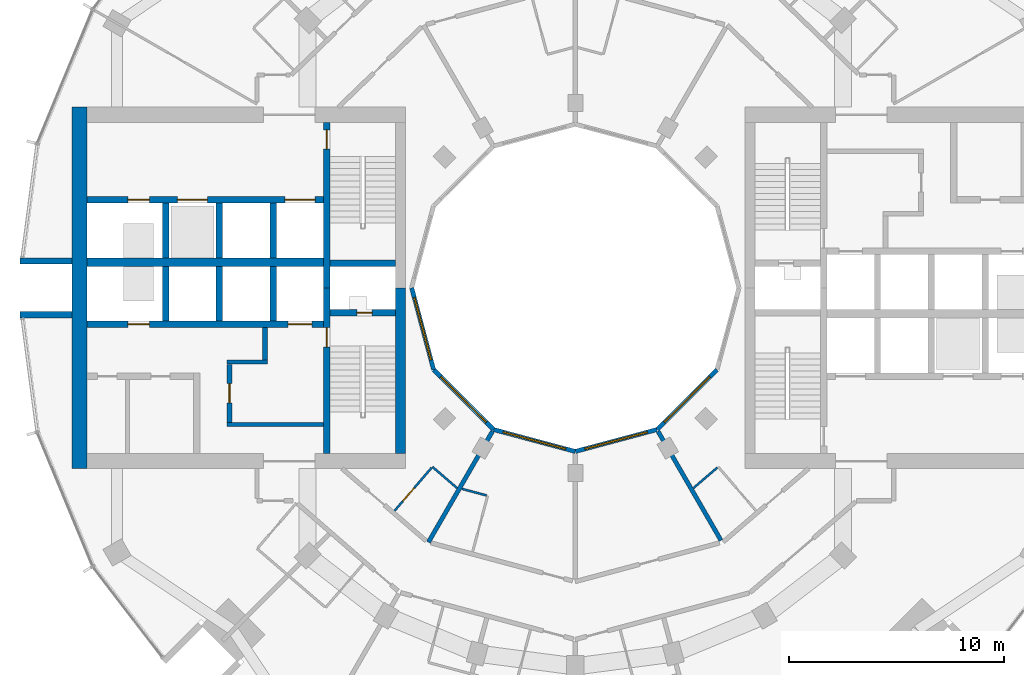
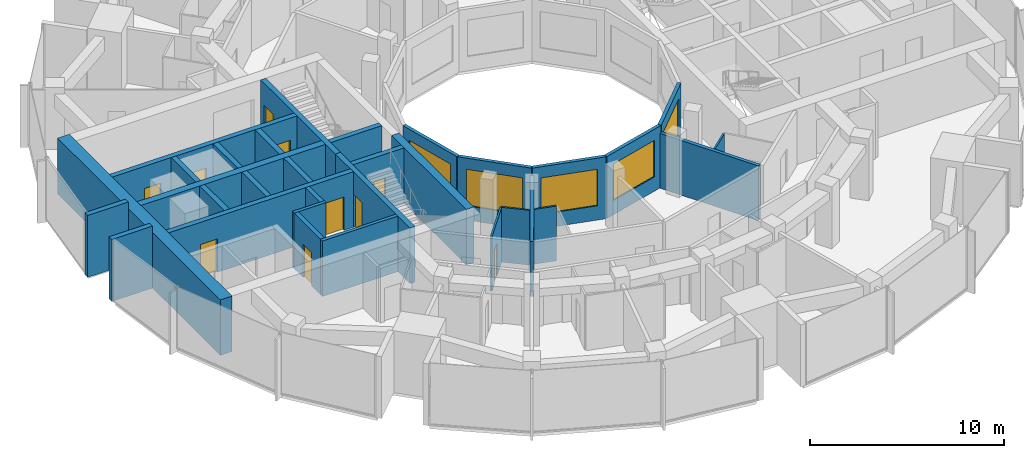
# One storey, part 9 of 15: 32 walls, 10 doors, 5 windows, 15 openings.
"""IFC4 building model written with IfcOpenShell, lengths in metres."""

from ifc_helpers import new_model, si_unit, direction, frame, frame_2d, origin, place, context, subcontext, project, spatial, rectangle, extrude, material, layer, layer_set, type_object, element, fill, save


model = new_model("IFC4")

# Units and contexts
model_context = context("Model", 3, precision=1e-05, world=origin(), true_north=direction((0.0, 1.0)))
body_context = subcontext(model_context, "Body", "Model", "MODEL_VIEW")
ifc_project = project(units=[si_unit("LENGTHUNIT", "METRE"), si_unit("AREAUNIT", "SQUARE_METRE"), si_unit("VOLUMEUNIT", "CUBIC_METRE"), si_unit("PLANEANGLEUNIT", "RADIAN"), si_unit("MASSUNIT", "GRAM", prefix="KILO")], contexts=[model_context])

# Site, building, storey
site_placement = place(None, origin())
site = spatial("IfcSite", under=ifc_project, at=site_placement, CompositionType="ELEMENT")
building_placement = place(site_placement, origin())
building = spatial("IfcBuilding", under=site, at=building_placement, Name="Torre Brocal", CompositionType="ELEMENT")
storey_placement = place(building_placement, frame((0.0, 0.0, 145.800048828125)))
storey = spatial("IfcBuildingStorey", under=building, at=storey_placement, Name="L34", CompositionType="ELEMENT", Elevation=145.800048828125)

# Walls
ifc_material_1 = material(Name="Concrete C70", Category="concrete")
ifc_layer_1 = layer(ifc_material_1, 0.199951171875)
ifc_layer_set_1 = layer_set([ifc_layer_1], Name="Concrete C70")
wall_type_1 = type_object("IfcWallType", Name="CORE WALL 200 C70 UNDER 400 SLAB", PredefinedType="SHEAR", material=ifc_layer_set_1)
wall_1_placement = place(storey_placement, frame((68.300048828125, 68.64990234375, 0.0), z_axis=(0.0, 0.0, 1.0), x_axis=(-1.0, 0.0, 0.0)))
element("IfcWall", 1, at=wall_1_placement, inside=storey, type_object=wall_type_1, Name="Wall CW200-70-S400", PredefinedType="SHEAR", context=body_context, shape_type="SweptSolid", body=[
    extrude(rectangle(XDim=4.5, YDim=0.199951171875, at=frame_2d((2.25, 0.0))), origin(), (0.0, 0.0, 1.0), 3.5),
])
wall_2_placement = place(storey_placement, frame((65.699951171875, 71.550048828125, 0.0), z_axis=(0.0, 0.0, 1.0), x_axis=(-1.0, 0.0, 0.0)))
element("IfcWall", 2, at=wall_2_placement, inside=storey, type_object=wall_type_1, Name="Wall CW200-70-S400", PredefinedType="SHEAR", context=body_context, shape_type="SweptSolid", body=[
    extrude(rectangle(XDim=1.89990234375, YDim=0.199951171875, at=frame_2d((0.949951171875, 0.0))), origin(), (0.0, 0.0, 1.0), 3.5),
])

# Wall, opening, door
ifc_material_2 = material(Name="Concrete C70", Category="concrete")
ifc_layer_2 = layer(ifc_material_2, 0.25)
ifc_layer_set_2 = layer_set([ifc_layer_2], Name="Concrete C70")
wall_type_2 = type_object("IfcWallType", Name="CORE WALL 250 C70 UNDER 400 SLAB", PredefinedType="SHEAR", material=ifc_layer_set_2)
wall_3_placement = place(storey_placement, frame((63.925048828125, 71.449951171875, 0.0), z_axis=(0.0, 0.0, 1.0), x_axis=(0.0, -1.0, 0.0)))
wall_3 = element("IfcWall", 3, at=wall_3_placement, inside=storey, type_object=wall_type_2, Name="Wall CW250-70-S400", PredefinedType="SHEAR", context=body_context, shape_type="SweptSolid", body=[
    extrude(rectangle(XDim=2.699951171875, YDim=0.25, at=frame_2d((1.35009765625, 0.0))), origin(), (0.0, 0.0, 1.0), 3.5),
])
opening_1_placement = place(wall_3_placement, frame((0.89990234375, 0.0, 0.0)))
opening_1 = element("IfcOpeningElement", 4, at=opening_1_placement, cuts=wall_3, Name="Opening W-D15", PredefinedType="OPENING", context=body_context, shape_type="SweptSolid", body=[
    extrude(rectangle(XDim=0.89990234375, YDim=2.10009765625, at=frame_2d((0.449951171875, 1.050048828125))), frame((0.0, 0.135009765625, 0.0), z_axis=(0.0, -1.0, 0.0), x_axis=(1.0, 0.0, 0.0)), (0.0, 0.0, 1.0), 0.27001953125),
])
ifc_material_3 = material(Name="Steel A653", Category="steel")
door_type_1 = type_object("IfcDoorType", Name="LOBBY DOOR FD120 900X2100", OperationType="SINGLE_SWING_RIGHT", PredefinedType="DOOR", material=ifc_material_3)
door_1_placement = place(opening_1_placement, origin())
door_1 = element("IfcDoor", 5, at=door_1_placement, inside=storey, type_object=door_type_1, Name="Door W-D15", OperationType="SINGLE_SWING_LEFT", OverallHeight=2.10009765625, OverallWidth=0.89990234375, PredefinedType="DOOR", context=body_context, shape_type="SweptSolid", body=[
    extrude(rectangle(XDim=0.89990234375, YDim=2.10009765625, at=frame_2d((0.449951171875, 1.050048828125))), frame((0.0, 0.02490234375, 0.0), z_axis=(0.0, -1.0, 0.0), x_axis=(1.0, 0.0, 0.0)), (0.0, 0.0, 1.0), 0.050048828125),
])
fill(opening_1, door_1)

# Wall
wall_4_placement = place(storey_placement, frame((65.574951171875, 73.14990234375, 0.0), z_axis=(0.0, 0.0, 1.0), x_axis=(0.0, -1.0, 0.0)))
element("IfcWall", 6, at=wall_4_placement, inside=storey, type_object=wall_type_2, Name="Wall CW250-70-S400", PredefinedType="SHEAR", context=body_context, shape_type="SweptSolid", body=[
    extrude(rectangle(XDim=1.5, YDim=0.25, at=frame_2d((0.75, 0.0))), origin(), (0.0, 0.0, 1.0), 3.5),
])

# Wall, opening, door
ifc_material_4 = material(Name="Concrete C70", Category="concrete")
ifc_layer_3 = layer(ifc_material_4, 0.300048828125)
ifc_layer_set_3 = layer_set([ifc_layer_3], Name="Concrete C70")
wall_type_3 = type_object("IfcWallType", Name="CORE WALL 300 C70 UNDER 400 SLAB", PredefinedType="SHEAR", material=ifc_layer_set_3)
wall_5_placement = place(storey_placement, frame((68.449951171875, 75.0, 0.0), z_axis=(0.0, 0.0, 1.0), x_axis=(0.0, -1.0, 0.0)))
wall_5 = element("IfcWall", 7, at=wall_5_placement, inside=storey, type_object=wall_type_3, Name="Wall CW300-70-S400", PredefinedType="SHEAR", context=body_context, shape_type="SweptSolid", body=[
    extrude(rectangle(XDim=7.699951171875, YDim=0.300048828125, at=frame_2d((3.85009765625, 0.0))), origin(), (0.0, 0.0, 1.0), 3.5),
])
opening_2_placement = place(wall_5_placement, frame((1.85009765625, 0.0, 0.0)))
opening_2 = element("IfcOpeningElement", 8, at=opening_2_placement, cuts=wall_5, Name="Opening W-D02", PredefinedType="OPENING", context=body_context, shape_type="SweptSolid", body=[
    extrude(rectangle(XDim=0.89990234375, YDim=2.10009765625, at=frame_2d((0.449951171875, 1.050048828125))), frame((0.0, 0.159912109375, 0.0), z_axis=(0.0, -1.0, 0.0), x_axis=(1.0, 0.0, 0.0)), (0.0, 0.0, 1.0), 0.320068359375),
])
ifc_material_5 = material(Name="Steel A653", Category="steel")
door_type_2 = type_object("IfcDoorType", Name="STAIR DOOR FD120 900X2100", OperationType="SINGLE_SWING_RIGHT", PredefinedType="DOOR", material=ifc_material_5)
door_2_placement = place(opening_2_placement, origin())
door_2 = element("IfcDoor", 9, at=door_2_placement, inside=storey, type_object=door_type_2, Name="Door W-D02", OperationType="SINGLE_SWING_LEFT", OverallHeight=2.10009765625, OverallWidth=0.89990234375, PredefinedType="DOOR", context=body_context, shape_type="SweptSolid", body=[
    extrude(rectangle(XDim=0.89990234375, YDim=2.10009765625, at=frame_2d((0.449951171875, 1.050048828125))), frame((0.0, 0.02490234375, 0.0), z_axis=(0.0, -1.0, 0.0), x_axis=(1.0, 0.0, 0.0)), (0.0, 0.0, 1.0), 0.050048828125),
])
fill(opening_2, door_2)

wall_6_placement = place(storey_placement, frame((68.449951171875, 82.699951171875, 0.0), z_axis=(0.0, 0.0, 1.0), x_axis=(0.0, -1.0, 0.0)))
wall_6 = element("IfcWall", 10, at=wall_6_placement, inside=storey, type_object=wall_type_3, Name="Wall CW300-70-S400", PredefinedType="SHEAR", context=body_context, shape_type="SweptSolid", body=[
    extrude(rectangle(XDim=7.699951171875, YDim=0.300048828125, at=frame_2d((3.85009765625, 0.0))), origin(), (0.0, 0.0, 1.0), 3.5),
])
opening_3_placement = place(wall_6_placement, frame((0.35009765625, 0.0, 0.0)))
opening_3 = element("IfcOpeningElement", 11, at=opening_3_placement, cuts=wall_6, Name="Opening W-D03", PredefinedType="OPENING", context=body_context, shape_type="SweptSolid", body=[
    extrude(rectangle(XDim=0.89990234375, YDim=2.10009765625, at=frame_2d((0.449951171875, 1.050048828125))), frame((0.0, 0.159912109375, 0.0), z_axis=(0.0, -1.0, 0.0), x_axis=(1.0, 0.0, 0.0)), (0.0, 0.0, 1.0), 0.320068359375),
])
door_3_placement = place(opening_3_placement, origin())
door_3 = element("IfcDoor", 12, at=door_3_placement, inside=storey, type_object=door_type_2, Name="Door W-D03", OperationType="SINGLE_SWING_LEFT", OverallHeight=2.10009765625, OverallWidth=0.89990234375, PredefinedType="DOOR", context=body_context, shape_type="SweptSolid", body=[
    extrude(rectangle(XDim=0.89990234375, YDim=2.10009765625, at=frame_2d((0.449951171875, 1.050048828125))), frame((0.0, 0.02490234375, 0.0), z_axis=(0.0, -1.0, 0.0), x_axis=(1.0, 0.0, 0.0)), (0.0, 0.0, 1.0), 0.050048828125),
])
fill(opening_3, door_3)

wall_7_placement = place(storey_placement, frame((71.64990234375, 73.85009765625, 0.0), z_axis=(0.0, 0.0, 1.0), x_axis=(-1.0, 0.0, 0.0)))
wall_7 = element("IfcWall", 13, at=wall_7_placement, inside=storey, type_object=wall_type_3, Name="Wall CW300-70-S400", PredefinedType="SHEAR", context=body_context, shape_type="SweptSolid", body=[
    extrude(rectangle(XDim=3.0498046875, YDim=0.300048828125, at=frame_2d((1.52490234375, 0.0))), origin(), (0.0, 0.0, 1.0), 3.5),
])
opening_4_placement = place(wall_7_placement, frame((1.10009765625, 0.0, 0.0)))
opening_4 = element("IfcOpeningElement", 14, at=opening_4_placement, cuts=wall_7, Name="Opening W-D01", PredefinedType="OPENING", context=body_context, shape_type="SweptSolid", body=[
    extrude(rectangle(XDim=0.699951171875, YDim=2.0, at=frame_2d((0.35009765625, 1.0))), frame((0.0, 0.159912109375, 0.0), z_axis=(0.0, -1.0, 0.0), x_axis=(1.0, 0.0, 0.0)), (0.0, 0.0, 1.0), 0.320068359375),
])
ifc_material_6 = material(Name="Steel A653", Category="steel")
door_type_3 = type_object("IfcDoorType", Name="RISER DOOR FD120 700X2000", OperationType="SINGLE_SWING_LEFT", PredefinedType="DOOR", material=ifc_material_6)
door_4_placement = place(opening_4_placement, frame((0.699951171875, 0.0, 0.0), z_axis=(0.0, 0.0, 1.0), x_axis=(-1.0, 0.0, 0.0)))
door_4 = element("IfcDoor", 15, at=door_4_placement, inside=storey, type_object=door_type_3, Name="Door W-D01", OperationType="SINGLE_SWING_RIGHT", OverallHeight=2.0, OverallWidth=0.699951171875, PredefinedType="DOOR", context=body_context, shape_type="SweptSolid", body=[
    extrude(rectangle(XDim=0.699951171875, YDim=2.0, at=frame_2d((0.35009765625, 1.0))), frame((0.0, 0.02490234375, 0.0), z_axis=(0.0, -1.0, 0.0), x_axis=(1.0, 0.0, 0.0)), (0.0, 0.0, 1.0), 0.050048828125),
])
fill(opening_4, door_4)

# Wall
wall_8_placement = place(storey_placement, frame((71.64990234375, 76.14990234375, 0.0), z_axis=(0.0, 0.0, 1.0), x_axis=(-1.0, 0.0, 0.0)))
element("IfcWall", 16, at=wall_8_placement, inside=storey, type_object=wall_type_3, Name="Wall CW300-70-S400", PredefinedType="SHEAR", context=body_context, shape_type="SweptSolid", body=[
    extrude(rectangle(XDim=3.0498046875, YDim=0.300048828125, at=frame_2d((1.52490234375, 0.0))), origin(), (0.0, 0.0, 1.0), 3.5),
])

# Wall, openings, doors
wall_9_placement = place(storey_placement, frame((68.300048828125, 73.300048828125, 0.0), z_axis=(0.0, 0.0, 1.0), x_axis=(-1.0, 0.0, 0.0)))
wall_9 = element("IfcWall", 17, at=wall_9_placement, inside=storey, type_object=wall_type_3, Name="Wall CW300-70-S400", PredefinedType="SHEAR", context=body_context, shape_type="SweptSolid", body=[
    extrude(rectangle(XDim=11.0, YDim=0.300048828125, at=frame_2d((5.5, 0.0))), origin(), (0.0, 0.0, 1.0), 3.5),
])
opening_5_placement = place(wall_9_placement, frame((0.550048828125, 0.0, 0.0)))
opening_5 = element("IfcOpeningElement", 18, at=opening_5_placement, cuts=wall_9, Name="Opening LD", PredefinedType="OPENING", context=body_context, shape_type="SweptSolid", body=[
    extrude(rectangle(XDim=1.10009765625, YDim=2.10009765625, at=frame_2d((0.550048828125, 1.050048828125))), frame((0.0, 0.159912109375, 0.0), z_axis=(0.0, -1.0, 0.0), x_axis=(1.0, 0.0, 0.0)), (0.0, 0.0, 1.0), 0.320068359375),
])
opening_6_placement = place(wall_9_placement, frame((8.10009765625, 0.0, 0.0)))
opening_6 = element("IfcOpeningElement", 19, at=opening_6_placement, cuts=wall_9, Name="Opening LD10", PredefinedType="OPENING", context=body_context, shape_type="SweptSolid", body=[
    extrude(rectangle(XDim=1.0, YDim=2.10009765625, at=frame_2d((0.5, 1.050048828125))), frame((0.0, 0.159912109375, 0.0), z_axis=(0.0, -1.0, 0.0), x_axis=(1.0, 0.0, 0.0)), (0.0, 0.0, 1.0), 0.320068359375),
])
ifc_material_7 = material(Name="Stainless steel AISI 316", Category="steel")
door_type_4 = type_object("IfcDoorType", Name="LIFT LANDING DOOR 1000X2100", OperationType="DOUBLE_DOOR_SLIDING", PredefinedType="DOOR", material=ifc_material_7)
door_5_placement = place(opening_6_placement, origin())
door_5 = element("IfcDoor", 20, at=door_5_placement, inside=storey, type_object=door_type_4, Name="Door LD10", OperationType="DOUBLE_DOOR_SLIDING", OverallHeight=2.10009765625, OverallWidth=1.0, PredefinedType="DOOR", context=body_context, shape_type="SweptSolid", body=[
    extrude(rectangle(XDim=1.0, YDim=2.10009765625, at=frame_2d((0.5, 1.050048828125))), frame((0.0, 0.02490234375, 0.0), z_axis=(0.0, -1.0, 0.0), x_axis=(1.0, 0.0, 0.0)), (0.0, 0.0, 1.0), 0.050048828125),
])
fill(opening_6, door_5)
ifc_material_8 = material(Name="Stainless steel AISI 316", Category="steel")
door_type_5 = type_object("IfcDoorType", Name="LIFT LANDING DOOR 1100X2100", OperationType="DOUBLE_DOOR_SLIDING", PredefinedType="DOOR", material=ifc_material_8)
door_6_placement = place(opening_5_placement, origin())
door_6 = element("IfcDoor", 21, at=door_6_placement, inside=storey, type_object=door_type_5, Name="Door LD", OperationType="DOUBLE_DOOR_SLIDING", OverallHeight=2.10009765625, OverallWidth=1.10009765625, PredefinedType="DOOR", context=body_context, shape_type="SweptSolid", body=[
    extrude(rectangle(XDim=1.10009765625, YDim=2.10009765625, at=frame_2d((0.550048828125, 1.050048828125))), frame((0.0, 0.02490234375, 0.0), z_axis=(0.0, -1.0, 0.0), x_axis=(1.0, 0.0, 0.0)), (0.0, 0.0, 1.0), 0.050048828125),
])
fill(opening_5, door_6)

wall_10_placement = place(storey_placement, frame((68.300048828125, 79.10009765625, 0.0), z_axis=(0.0, 0.0, 1.0), x_axis=(-1.0, 0.0, 0.0)))
wall_10 = element("IfcWall", 22, at=wall_10_placement, inside=storey, type_object=wall_type_3, Name="Wall CW300-70-S400", PredefinedType="SHEAR", context=body_context, shape_type="SweptSolid", body=[
    extrude(rectangle(XDim=11.0, YDim=0.300048828125, at=frame_2d((5.5, 0.0))), origin(), (0.0, 0.0, 1.0), 3.5),
])
opening_7_placement = place(wall_10_placement, frame((0.39990234375, 0.0, 0.0)))
opening_7 = element("IfcOpeningElement", 23, at=opening_7_placement, cuts=wall_10, Name="Opening LD14", PredefinedType="OPENING", context=body_context, shape_type="SweptSolid", body=[
    extrude(rectangle(XDim=1.39990234375, YDim=2.10009765625, at=frame_2d((0.699951171875, 1.050048828125))), frame((0.0, 0.159912109375, 0.0), z_axis=(0.0, -1.0, 0.0), x_axis=(1.0, 0.0, 0.0)), (0.0, 0.0, 1.0), 0.320068359375),
])
opening_8_placement = place(wall_10_placement, frame((5.39990234375, 0.0, 0.0)))
opening_8 = element("IfcOpeningElement", 24, at=opening_8_placement, cuts=wall_10, Name="Opening LD14", PredefinedType="OPENING", context=body_context, shape_type="SweptSolid", body=[
    extrude(rectangle(XDim=1.39990234375, YDim=2.10009765625, at=frame_2d((0.699951171875, 1.050048828125))), frame((0.0, 0.159912109375, 0.0), z_axis=(0.0, -1.0, 0.0), x_axis=(1.0, 0.0, 0.0)), (0.0, 0.0, 1.0), 0.320068359375),
])
opening_9_placement = place(wall_10_placement, frame((8.10009765625, 0.0, 0.0)))
opening_9 = element("IfcOpeningElement", 25, at=opening_9_placement, cuts=wall_10, Name="Opening LD10", PredefinedType="OPENING", context=body_context, shape_type="SweptSolid", body=[
    extrude(rectangle(XDim=1.0, YDim=2.10009765625, at=frame_2d((0.5, 1.050048828125))), frame((0.0, 0.159912109375, 0.0), z_axis=(0.0, -1.0, 0.0), x_axis=(1.0, 0.0, 0.0)), (0.0, 0.0, 1.0), 0.320068359375),
])
door_7_placement = place(opening_9_placement, origin())
door_7 = element("IfcDoor", 26, at=door_7_placement, inside=storey, type_object=door_type_4, Name="Door LD10", OperationType="DOUBLE_DOOR_SLIDING", OverallHeight=2.10009765625, OverallWidth=1.0, PredefinedType="DOOR", context=body_context, shape_type="SweptSolid", body=[
    extrude(rectangle(XDim=1.0, YDim=2.10009765625, at=frame_2d((0.5, 1.050048828125))), frame((0.0, 0.02490234375, 0.0), z_axis=(0.0, -1.0, 0.0), x_axis=(1.0, 0.0, 0.0)), (0.0, 0.0, 1.0), 0.050048828125),
])
fill(opening_9, door_7)
ifc_material_9 = material(Name="Stainless steel AISI 316", Category="steel")
door_type_6 = type_object("IfcDoorType", Name="LIFT LANDING DOOR 1400X2100", OperationType="DOUBLE_DOOR_SLIDING", PredefinedType="DOOR", material=ifc_material_9)
door_8_placement = place(opening_7_placement, origin())
door_8 = element("IfcDoor", 27, at=door_8_placement, inside=storey, type_object=door_type_6, Name="Door LD14", OperationType="DOUBLE_DOOR_SLIDING", OverallHeight=2.10009765625, OverallWidth=1.39990234375, PredefinedType="DOOR", context=body_context, shape_type="SweptSolid", body=[
    extrude(rectangle(XDim=1.39990234375, YDim=2.10009765625, at=frame_2d((0.699951171875, 1.050048828125))), frame((0.0, 0.02490234375, 0.0), z_axis=(0.0, -1.0, 0.0), x_axis=(1.0, 0.0, 0.0)), (0.0, 0.0, 1.0), 0.050048828125),
])
fill(opening_7, door_8)
door_9_placement = place(opening_8_placement, origin())
door_9 = element("IfcDoor", 28, at=door_9_placement, inside=storey, type_object=door_type_6, Name="Door LD14", OperationType="DOUBLE_DOOR_SLIDING", OverallHeight=2.10009765625, OverallWidth=1.39990234375, PredefinedType="DOOR", context=body_context, shape_type="SweptSolid", body=[
    extrude(rectangle(XDim=1.39990234375, YDim=2.10009765625, at=frame_2d((0.699951171875, 1.050048828125))), frame((0.0, 0.02490234375, 0.0), z_axis=(0.0, -1.0, 0.0), x_axis=(1.0, 0.0, 0.0)), (0.0, 0.0, 1.0), 0.050048828125),
])
fill(opening_8, door_9)

# Walls
for number, where, z_axis, x_axis, name in (
    (29, (65.949951171875, 76.0, 0.0), (0.0, 0.0, 1.0), (0.0, -1.0, 0.0), "Wall CW300-70-S400"),
    (30, (63.449951171875, 76.0, 0.0), (0.0, 0.0, 1.0), (0.0, -1.0, 0.0), "Wall CW300-70-S400"),
    (31, (60.949951171875, 76.0, 0.0), (0.0, 0.0, 1.0), (0.0, -1.0, 0.0), "Wall CW300-70-S400"),
    (32, (65.949951171875, 78.949951171875, 0.0), (0.0, 0.0, 1.0), (0.0, -1.0, 0.0), "Wall CW300-70-S400"),
    (33, (63.449951171875, 78.949951171875, 0.0), (0.0, 0.0, 1.0), (0.0, -1.0, 0.0), "Wall CW300-70-S400"),
    (34, (60.949951171875, 78.949951171875, 0.0), (0.0, 0.0, 1.0), (0.0, -1.0, 0.0), "Wall CW300-70-S400"),
):
    element("IfcWall", number, at=place(storey_placement, frame(where, z_axis=z_axis, x_axis=x_axis)), inside=storey, type_object=wall_type_3, Name=name, PredefinedType="SHEAR", context=body_context, shape_type="SweptSolid", body=[
        extrude(rectangle(XDim=2.550048828125, YDim=0.300048828125, at=frame_2d((1.27490234375, 0.0))), origin(), (0.0, 0.0, 1.0), 3.5),
    ])
ifc_material_10 = material(Name="Concrete C70", Category="concrete")
ifc_layer_4 = layer(ifc_material_10, 0.39990234375)
ifc_layer_set_4 = layer_set([ifc_layer_4], Name="Concrete C70")
wall_type_4 = type_object("IfcWallType", Name="CORE WALL 400 C70 UNDER 400 SLAB", PredefinedType="SHEAR", material=ifc_layer_set_4)
wall_11_placement = place(storey_placement, frame((68.300048828125, 76.199951171875, 0.0), z_axis=(0.0, 0.0, 1.0), x_axis=(-1.0, 0.0, 0.0)))
element("IfcWall", 35, at=wall_11_placement, inside=storey, type_object=wall_type_4, Name="Wall CW400-70-S400", PredefinedType="SHEAR", context=body_context, shape_type="SweptSolid", body=[
    extrude(rectangle(XDim=11.0, YDim=0.39990234375, at=frame_2d((5.5, 0.0))), origin(), (0.0, 0.0, 1.0), 3.5),
])
ifc_material_11 = material(Name="Concrete C70", Category="concrete")
ifc_layer_5 = layer(ifc_material_11, 0.449951171875)
ifc_layer_set_5 = layer_set([ifc_layer_5], Name="Concrete C70")
wall_type_5 = type_object("IfcWallType", Name="CORE WALL 450 C70 UNDER 400 SLAB", PredefinedType="SHEAR", material=ifc_layer_set_5)
wall_12_placement = place(storey_placement, frame((71.875, 75.0, 0.0), z_axis=(0.0, 0.0, 1.0), x_axis=(0.0, -1.0, 0.0)))
element("IfcWall", 36, at=wall_12_placement, inside=storey, type_object=wall_type_5, Name="Wall CW450-70-S400", PredefinedType="SHEAR", context=body_context, shape_type="SweptSolid", body=[
    extrude(rectangle(XDim=7.699951171875, YDim=0.449951171875, at=frame_2d((3.85009765625, 0.0))), origin(), (0.0, 0.0, 1.0), 3.5),
])
ifc_material_12 = material(Name="Concrete C70", Category="concrete")
ifc_layer_6 = layer(ifc_material_12, 0.699951171875)
ifc_layer_set_6 = layer_set([ifc_layer_6], Name="Concrete C70")
wall_type_6 = type_object("IfcWallType", Name="CORE WALL 700 C70 UNDER 400 SLAB", PredefinedType="SHEAR", material=ifc_layer_set_6)
wall_13_placement = place(storey_placement, frame((56.949951171875, 83.39990234375, 0.0), z_axis=(0.0, 0.0, 1.0), x_axis=(0.0, -1.0, 0.0)))
element("IfcWall", 37, at=wall_13_placement, inside=storey, type_object=wall_type_6, Name="Wall CW700-70-S400", PredefinedType="SHEAR", context=body_context, shape_type="SweptSolid", body=[
    extrude(rectangle(XDim=16.7998046875, YDim=0.699951171875, at=frame_2d((8.39990234375, 0.0))), origin(), (0.0, 0.0, 1.0), 3.5),
])
ifc_material_13 = material(Name="Concrete C70", Category="concrete")
ifc_layer_7 = layer(ifc_material_13, 0.300048828125)
ifc_layer_set_7 = layer_set([ifc_layer_7], Name="Concrete C70")
wall_type_7 = type_object("IfcWallType", Name="NOTCH RETURN WALL 300 C70", PredefinedType="NOTDEFINED", material=ifc_layer_set_7)
for number, where, z_axis, x_axis, name in (
    (38, (56.60009765625, 76.25, 0.0), (0.0, 0.0, 1.0), (-1.0, 0.0, 0.0), "NOTCH RETURN WALL"),
    (39, (56.60009765625, 73.75, 0.0), (0.0, 0.0, 1.0), (-1.0, 0.0, 0.0), "NOTCH RETURN WALL"),
):
    element("IfcWall", number, at=place(storey_placement, frame(where, z_axis=z_axis, x_axis=x_axis)), inside=storey, type_object=wall_type_7, Name=name, PredefinedType="NOTDEFINED", context=body_context, shape_type="SweptSolid", body=[
        extrude(rectangle(XDim=2.415771484375, YDim=0.300048828125, at=frame_2d((1.2080078125, 0.0))), origin(), (0.0, 0.0, 1.0), 3.89990234375),
    ])

# Wall, opening, door
ifc_material_14 = material(Name="Gypsum board", Category="Gypsum")
ifc_layer_8 = layer(ifc_material_14, 0.10009765625)
ifc_layer_set_8 = layer_set([ifc_layer_8], Name="Gypsum board")
wall_type_8 = type_object("IfcWallType", Name="PARTITION 100", PredefinedType="PARTITIONING", material=ifc_layer_set_8)
wall_14_placement = place(storey_placement, frame((71.59619140625, 64.634765625, 0.0), z_axis=(0.0, 0.0, 1.0), x_axis=(0.652285007511, 0.757973791748, 0.0)))
wall_14 = element("IfcWall", 40, at=wall_14_placement, inside=storey, type_object=wall_type_8, Name="BATHROOM WALL", PredefinedType="PARTITIONING", context=body_context, shape_type="SweptSolid", body=[
    extrude(rectangle(XDim=2.649658203125, YDim=0.10009765625, at=frame_2d((1.32470703125, 0.0))), origin(), (0.0, 0.0, 1.0), 3.449951171875),
])
opening_10_placement = place(wall_14_placement, frame((0.599609375, 0.0, 0.0)))
opening_10 = element("IfcOpeningElement", 41, at=opening_10_placement, cuts=wall_14, Name="Opening E03-D40", PredefinedType="OPENING", context=body_context, shape_type="SweptSolid", body=[
    extrude(rectangle(XDim=0.800048828125, YDim=2.10009765625, at=frame_2d((0.39990234375, 1.050048828125))), frame((0.0, 0.06005859375, 0.0), z_axis=(0.0, -1.0, 0.0), x_axis=(1.0, 0.0, 0.0)), (0.0, 0.0, 1.0), 0.1201171875),
])
ifc_material_15 = material(Name="Timber", Category="wood")
door_type_7 = type_object("IfcDoorType", Name="BATHROOM DOOR 800X2100", OperationType="SINGLE_SWING_LEFT", PredefinedType="DOOR", material=ifc_material_15)
door_10_placement = place(opening_10_placement, frame((0.800048828125, 0.0, 0.0), z_axis=(0.0, 0.0, 1.0), x_axis=(-1.0, 0.0, 0.0)))
door_10 = element("IfcDoor", 42, at=door_10_placement, inside=storey, type_object=door_type_7, Name="E03-D40", OperationType="SINGLE_SWING_RIGHT", OverallHeight=2.10009765625, OverallWidth=0.800048828125, PredefinedType="DOOR", context=body_context, shape_type="SweptSolid", body=[
    extrude(rectangle(XDim=0.800048828125, YDim=2.10009765625, at=frame_2d((0.39990234375, 1.050048828125))), frame((0.0, 0.02490234375, 0.0), z_axis=(0.0, -1.0, 0.0), x_axis=(1.0, 0.0, 0.0)), (0.0, 0.0, 1.0), 0.050048828125),
])
fill(opening_10, door_10)

# Walls
wall_15_placement = place(storey_placement, frame((73.35693359375, 66.680908203125, 0.0), z_axis=(0.0, 0.0, 1.0), x_axis=(0.758263469747, -0.651948242154, 0.0)))
element("IfcWall", 43, at=wall_15_placement, inside=storey, type_object=wall_type_8, Name="BATHROOM WALL", PredefinedType="PARTITIONING", context=body_context, shape_type="SweptSolid", body=[
    extrude(rectangle(XDim=1.510986328125, YDim=0.10009765625, at=frame_2d((0.75537109375, 0.0))), origin(), (0.0, 0.0, 1.0), 3.449951171875),
])
wall_16_placement = place(storey_placement, frame((74.729248046875, 65.657470703125, 0.0), z_axis=(0.0, 0.0, 1.0), x_axis=(0.965948051503, -0.258736085224, 0.0)))
element("IfcWall", 44, at=wall_16_placement, inside=storey, type_object=wall_type_8, Name="BATHROOM WALL", PredefinedType="PARTITIONING", context=body_context, shape_type="SweptSolid", body=[
    extrude(rectangle(XDim=1.18896484375, YDim=0.10009765625, at=frame_2d((0.594482421875, 0.0))), origin(), (0.0, 0.0, 1.0), 3.449951171875),
])
wall_17_placement = place(storey_placement, frame((85.497314453125, 65.69580078125, 0.0), z_axis=(0.0, 0.0, 1.0), x_axis=(0.75817032582, 0.652056559698, 0.0)))
element("IfcWall", 45, at=wall_17_placement, inside=storey, type_object=wall_type_8, Name="BATHROOM WALL", PredefinedType="PARTITIONING", context=body_context, shape_type="SweptSolid", body=[
    extrude(rectangle(XDim=1.4609375, YDim=0.10009765625, at=frame_2d((0.73046875, 0.0))), origin(), (0.0, 0.0, 1.0), 3.449951171875),
])
ifc_material_16 = material(Name="Gypsum board", Category="Gypsum")
ifc_layer_9 = layer(ifc_material_16, 0.199951171875)
ifc_layer_set_9 = layer_set([ifc_layer_9], Name="Gypsum board")
wall_type_9 = type_object("IfcWallType", Name="PARTITION 200 EI60", PredefinedType="PARTITIONING", material=ifc_layer_set_9)
wall_18_placement = place(storey_placement, frame((73.172607421875, 63.17626953125, 0.0), z_axis=(0.0, 0.0, 1.0), x_axis=(0.500239348149, 0.865887171959, 0.0)))
element("IfcWall", 46, at=wall_18_placement, inside=storey, type_object=wall_type_9, Name="BATHROOM WALL", PredefinedType="PARTITIONING", context=body_context, shape_type="SweptSolid", body=[
    extrude(rectangle(XDim=5.955078125, YDim=0.199951171875, at=frame_2d((2.9775390625, 0.0))), origin(), (0.0, 0.0, 1.0), 3.449951171875),
])
wall_19_placement = place(storey_placement, frame((83.847412109375, 68.33203125, 0.0), z_axis=(0.0, 0.0, 1.0), x_axis=(0.499901724708, -0.866082135617, 0.0)))
element("IfcWall", 47, at=wall_19_placement, inside=storey, type_object=wall_type_9, Name="BATHROOM WALL", PredefinedType="PARTITIONING", context=body_context, shape_type="SweptSolid", body=[
    extrude(rectangle(XDim=5.855224609375, YDim=0.199951171875, at=frame_2d((2.927734375, 0.0))), origin(), (0.0, 0.0, 1.0), 3.449951171875),
])

# Wall, opening, window
ifc_material_17 = material(Name="Concrete C40", Category="concrete")
ifc_layer_10 = layer(ifc_material_17, 0.199951171875)
ifc_layer_set_10 = layer_set([ifc_layer_10], Name="Concrete C40")
wall_type_10 = type_object("IfcWallType", Name="WELL FACADE WALL 200", PredefinedType="NOTDEFINED", material=ifc_layer_set_10)
wall_20_placement = place(storey_placement, frame((72.396484375, 75.0, 0.0), z_axis=(0.0, 0.0, 1.0), x_axis=(0.258789828301, -0.965933654434, 0.0)))
wall_20 = element("IfcWall", 48, at=wall_20_placement, inside=storey, type_object=wall_type_10, Name="WELL FACADE WALL", PredefinedType="NOTDEFINED", context=body_context, shape_type="SweptSolid", body=[
    extrude(rectangle(XDim=3.935791015625, YDim=0.199951171875, at=frame_2d((1.9677734375, 0.0))), origin(), (0.0, 0.0, 1.0), 3.89990234375),
])
opening_11_placement = place(wall_20_placement, frame((0.468017578125, 0.0, 0.89990234375)))
opening_11 = element("IfcOpeningElement", 49, at=opening_11_placement, cuts=wall_20, Name="Opening W1", PredefinedType="OPENING", context=body_context, shape_type="SweptSolid", body=[
    extrude(rectangle(XDim=3.0, YDim=2.300048828125, at=frame_2d((1.5, 1.14990234375))), frame((0.0, 0.10986328125, 0.0), z_axis=(0.0, -1.0, 0.0), x_axis=(1.0, 0.0, 0.0)), (0.0, 0.0, 1.0), 0.219970703125),
])
ifc_material_18 = material(Name="Aluminium and glass", Category="aluminium")
window_type = type_object("IfcWindowType", Name="WELL WINDOW 3000X2300", PartitioningType="SINGLE_PANEL", PredefinedType="WINDOW", material=ifc_material_18)
window_1_placement = place(opening_11_placement, origin())
window_1 = element("IfcWindow", 50, at=window_1_placement, inside=storey, type_object=window_type, Name="WELL WINDOW 3000X2300", OverallHeight=2.300048828125, OverallWidth=3.0, PartitioningType="SINGLE_PANEL", PredefinedType="WINDOW", context=body_context, shape_type="SweptSolid", body=[
    extrude(rectangle(XDim=3.0, YDim=2.300048828125, at=frame_2d((1.5, 1.14990234375))), frame((0.0, 0.030029296875, 0.0), z_axis=(0.0, -1.0, 0.0), x_axis=(1.0, 0.0, 0.0)), (0.0, 0.0, 1.0), 0.06005859375),
])
fill(opening_11, window_1)

wall_21_placement = place(storey_placement, frame((73.4150390625, 71.1982421875, 0.0), z_axis=(0.0, 0.0, 1.0), x_axis=(0.707106781187, -0.707106781187, 0.0)))
wall_21 = element("IfcWall", 51, at=wall_21_placement, inside=storey, type_object=wall_type_10, Name="WELL FACADE WALL", PredefinedType="NOTDEFINED", context=body_context, shape_type="SweptSolid", body=[
    extrude(rectangle(XDim=3.93603515625, YDim=0.199951171875, at=frame_2d((1.968017578125, 0.0))), origin(), (0.0, 0.0, 1.0), 3.89990234375),
])
opening_12_placement = place(wall_21_placement, frame((0.468017578125, 0.0, 0.89990234375)))
opening_12 = element("IfcOpeningElement", 52, at=opening_12_placement, cuts=wall_21, Name="Opening W1", PredefinedType="OPENING", context=body_context, shape_type="SweptSolid", body=[
    extrude(rectangle(XDim=3.0, YDim=2.300048828125, at=frame_2d((1.5, 1.14990234375))), frame((0.0, 0.10986328125, 0.0), z_axis=(0.0, -1.0, 0.0), x_axis=(1.0, 0.0, 0.0)), (0.0, 0.0, 1.0), 0.219970703125),
])
window_2_placement = place(opening_12_placement, origin())
window_2 = element("IfcWindow", 53, at=window_2_placement, inside=storey, type_object=window_type, Name="WELL WINDOW 3000X2300", OverallHeight=2.300048828125, OverallWidth=3.0, PartitioningType="SINGLE_PANEL", PredefinedType="WINDOW", context=body_context, shape_type="SweptSolid", body=[
    extrude(rectangle(XDim=3.0, YDim=2.300048828125, at=frame_2d((1.5, 1.14990234375))), frame((0.0, 0.030029296875, 0.0), z_axis=(0.0, -1.0, 0.0), x_axis=(1.0, 0.0, 0.0)), (0.0, 0.0, 1.0), 0.06005859375),
])
fill(opening_12, window_2)

wall_22_placement = place(storey_placement, frame((76.1982421875, 68.4150390625, 0.0), z_axis=(0.0, 0.0, 1.0), x_axis=(0.965933654434, -0.258789828301, 0.0)))
wall_22 = element("IfcWall", 54, at=wall_22_placement, inside=storey, type_object=wall_type_10, Name="WELL FACADE WALL", PredefinedType="NOTDEFINED", context=body_context, shape_type="SweptSolid", body=[
    extrude(rectangle(XDim=3.935791015625, YDim=0.199951171875, at=frame_2d((1.9677734375, 0.0))), origin(), (0.0, 0.0, 1.0), 3.89990234375),
])
opening_13_placement = place(wall_22_placement, frame((0.468017578125, 0.0, 0.89990234375)))
opening_13 = element("IfcOpeningElement", 55, at=opening_13_placement, cuts=wall_22, Name="Opening W1", PredefinedType="OPENING", context=body_context, shape_type="SweptSolid", body=[
    extrude(rectangle(XDim=3.0, YDim=2.300048828125, at=frame_2d((1.5, 1.14990234375))), frame((0.0, 0.10986328125, 0.0), z_axis=(0.0, -1.0, 0.0), x_axis=(1.0, 0.0, 0.0)), (0.0, 0.0, 1.0), 0.219970703125),
])
window_3_placement = place(opening_13_placement, origin())
window_3 = element("IfcWindow", 56, at=window_3_placement, inside=storey, type_object=window_type, Name="WELL WINDOW 3000X2300", OverallHeight=2.300048828125, OverallWidth=3.0, PartitioningType="SINGLE_PANEL", PredefinedType="WINDOW", context=body_context, shape_type="SweptSolid", body=[
    extrude(rectangle(XDim=3.0, YDim=2.300048828125, at=frame_2d((1.5, 1.14990234375))), frame((0.0, 0.030029296875, 0.0), z_axis=(0.0, -1.0, 0.0), x_axis=(1.0, 0.0, 0.0)), (0.0, 0.0, 1.0), 0.06005859375),
])
fill(opening_13, window_3)

wall_23_placement = place(storey_placement, frame((80.0, 67.396484375, 0.0), z_axis=(0.0, 0.0, 1.0), x_axis=(0.965933654434, 0.258789828301, 0.0)))
wall_23 = element("IfcWall", 57, at=wall_23_placement, inside=storey, type_object=wall_type_10, Name="WELL FACADE WALL", PredefinedType="NOTDEFINED", context=body_context, shape_type="SweptSolid", body=[
    extrude(rectangle(XDim=3.935791015625, YDim=0.199951171875, at=frame_2d((1.9677734375, 0.0))), origin(), (0.0, 0.0, 1.0), 3.89990234375),
])
opening_14_placement = place(wall_23_placement, frame((0.468017578125, 0.0, 0.89990234375)))
opening_14 = element("IfcOpeningElement", 58, at=opening_14_placement, cuts=wall_23, Name="Opening W1", PredefinedType="OPENING", context=body_context, shape_type="SweptSolid", body=[
    extrude(rectangle(XDim=3.0, YDim=2.300048828125, at=frame_2d((1.5, 1.14990234375))), frame((0.0, 0.10986328125, 0.0), z_axis=(0.0, -1.0, 0.0), x_axis=(1.0, 0.0, 0.0)), (0.0, 0.0, 1.0), 0.219970703125),
])
window_4_placement = place(opening_14_placement, origin())
window_4 = element("IfcWindow", 59, at=window_4_placement, inside=storey, type_object=window_type, Name="WELL WINDOW 3000X2300", OverallHeight=2.300048828125, OverallWidth=3.0, PartitioningType="SINGLE_PANEL", PredefinedType="WINDOW", context=body_context, shape_type="SweptSolid", body=[
    extrude(rectangle(XDim=3.0, YDim=2.300048828125, at=frame_2d((1.5, 1.14990234375))), frame((0.0, 0.030029296875, 0.0), z_axis=(0.0, -1.0, 0.0), x_axis=(1.0, 0.0, 0.0)), (0.0, 0.0, 1.0), 0.06005859375),
])
fill(opening_14, window_4)

wall_24_placement = place(storey_placement, frame((83.8017578125, 68.4150390625, 0.0), z_axis=(0.0, 0.0, 1.0), x_axis=(0.707106781187, 0.707106781187, 0.0)))
wall_24 = element("IfcWall", 60, at=wall_24_placement, inside=storey, type_object=wall_type_10, Name="WELL FACADE WALL", PredefinedType="NOTDEFINED", context=body_context, shape_type="SweptSolid", body=[
    extrude(rectangle(XDim=3.93603515625, YDim=0.199951171875, at=frame_2d((1.968017578125, 0.0))), origin(), (0.0, 0.0, 1.0), 3.89990234375),
])
opening_15_placement = place(wall_24_placement, frame((0.468017578125, 0.0, 0.89990234375)))
opening_15 = element("IfcOpeningElement", 61, at=opening_15_placement, cuts=wall_24, Name="Opening W1", PredefinedType="OPENING", context=body_context, shape_type="SweptSolid", body=[
    extrude(rectangle(XDim=3.0, YDim=2.300048828125, at=frame_2d((1.5, 1.14990234375))), frame((0.0, 0.10986328125, 0.0), z_axis=(0.0, -1.0, 0.0), x_axis=(1.0, 0.0, 0.0)), (0.0, 0.0, 1.0), 0.219970703125),
])
window_5_placement = place(opening_15_placement, origin())
window_5 = element("IfcWindow", 62, at=window_5_placement, inside=storey, type_object=window_type, Name="WELL WINDOW 3000X2300", OverallHeight=2.300048828125, OverallWidth=3.0, PartitioningType="SINGLE_PANEL", PredefinedType="WINDOW", context=body_context, shape_type="SweptSolid", body=[
    extrude(rectangle(XDim=3.0, YDim=2.300048828125, at=frame_2d((1.5, 1.14990234375))), frame((0.0, 0.030029296875, 0.0), z_axis=(0.0, -1.0, 0.0), x_axis=(1.0, 0.0, 0.0)), (0.0, 0.0, 1.0), 0.06005859375),
])
fill(opening_15, window_5)

save(model, "model.ifc")
